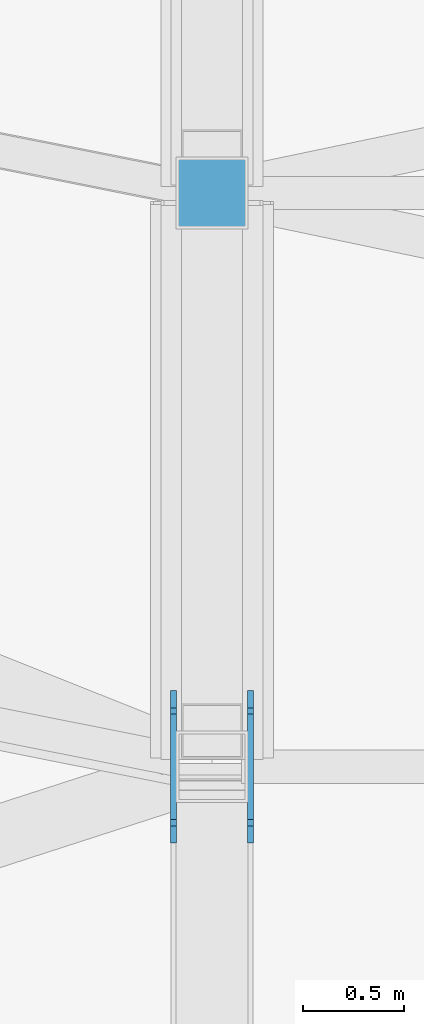
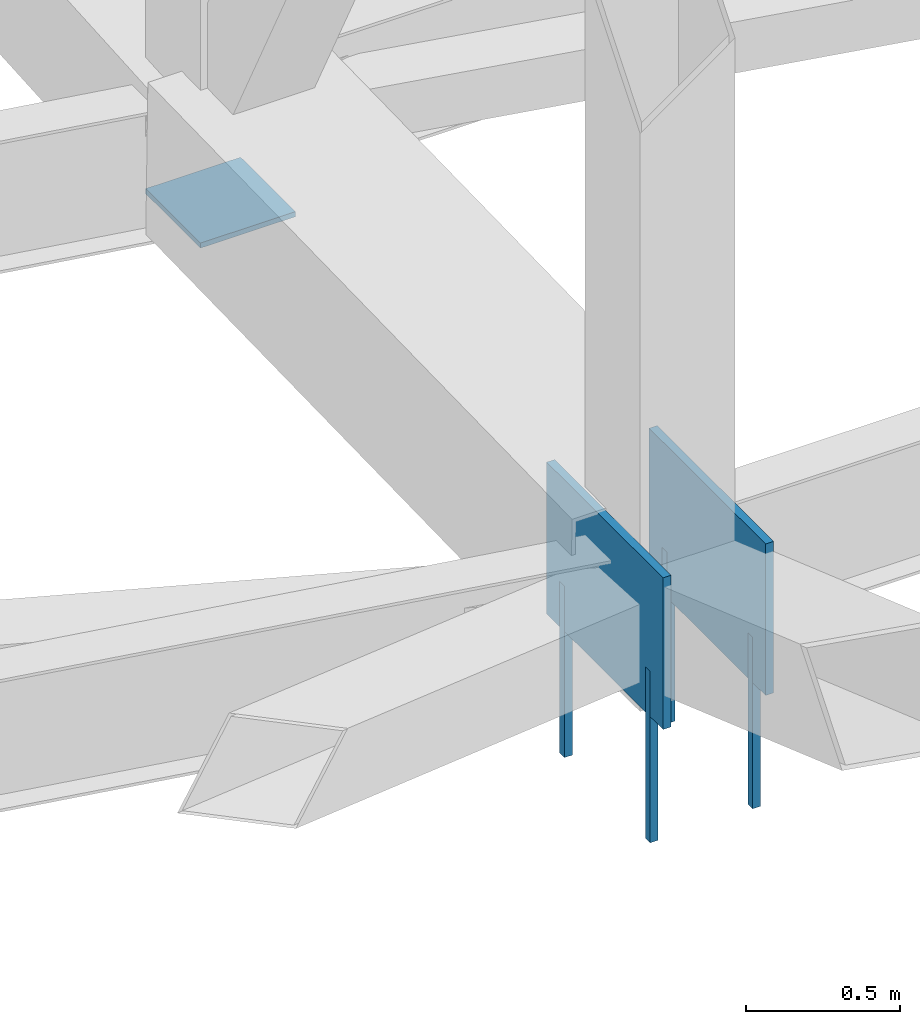
# One storey, part 121 of 278: 4 mechanical fasteners, 3 discrete accessories.
"""IFC4 building model written with IfcOpenShell, lengths in metres."""

from ifc_helpers import new_model, si_unit, direction, frame, origin, origin_2d, place, context, subcontext, project, spatial, rectangle, extrude, material, layer, layer_set, type_object, element, save


model = new_model("IFC4")

# Units and contexts
model_context = context("Model", 3, precision=1e-05, world=origin(), true_north=direction((0.0, 1.0)))
body_context = subcontext(model_context, "Body", "Model", "MODEL_VIEW")
ifc_project = project(units=[si_unit("LENGTHUNIT", "METRE"), si_unit("AREAUNIT", "SQUARE_METRE"), si_unit("VOLUMEUNIT", "CUBIC_METRE"), si_unit("PLANEANGLEUNIT", "RADIAN"), si_unit("MASSUNIT", "GRAM", prefix="KILO")], contexts=[model_context])

# Site, building, storey
site_placement = place(None, origin())
site = spatial("IfcSite", under=ifc_project, at=site_placement, CompositionType="ELEMENT")
building_placement = place(site_placement, origin())
building = spatial("IfcBuilding", under=site, at=building_placement, Name="Ogive Plaza Stadium", CompositionType="ELEMENT")
storey_placement = place(building_placement, frame((0.0, 0.0, 29.0)))
storey = spatial("IfcBuildingStorey", under=building, at=storey_placement, Name="Roof", CompositionType="ELEMENT", Elevation=29.0)

# Mechanical fasteners
ifc_material_1 = material(Name="Steel ASTM A992 Grade 50", Category="steel")
mechanical_fastener_type = type_object("IfcMechanicalFastenerType", Name="Anchor bolt M30 x 600", PredefinedType="ANCHORBOLT", material=ifc_material_1)
for number, where, z_axis, x_axis, name in (
    (1, (-33.80810546875, -92.77783203125, -0.5), (0.0, 0.0, 1.0), (0.0, -1.0, 0.0), "ANCHOR BOLT 17 BP 1.1"),
    (2, (-33.80810546875, -92.22216796875, -0.5), (0.0, 0.0, 1.0), (0.0, -1.0, 0.0), "ANCHOR BOLT 17 BP 1.2"),
    (3, (-34.19189453125, -92.77783203125, -0.5), (0.0, 0.0, 1.0), (0.0, -1.0, 0.0), "ANCHOR BOLT 17 BP 2.1"),
    (4, (-34.19189453125, -92.22216796875, -0.5), (0.0, 0.0, 1.0), (0.0, -1.0, 0.0), "ANCHOR BOLT 17 BP 2.2"),
):
    element("IfcMechanicalFastener", number, at=place(storey_placement, frame(where, z_axis=z_axis, x_axis=x_axis)), inside=storey, type_object=mechanical_fastener_type, Name=name, PredefinedType="ANCHORBOLT", context=body_context, shape_type="SweptSolid", body=[
        extrude(rectangle(XDim=0.030029296875, YDim=0.030029296875, at=origin_2d()), origin(), (0.0, 0.0, 1.0), 0.679931640625),
    ])

# Discrete accessories
ifc_material_2 = material(Name="Steel ASTM A992 Grade 50", Category="steel")
ifc_layer_1 = layer(ifc_material_2, 0.02001953125)
ifc_layer_set_1 = layer_set([ifc_layer_1], Name="Steel ASTM A992 Grade 50")
discrete_accessory_type_1 = type_object("IfcDiscreteAccessoryType", Name="Roof truss post cap plate 20", PredefinedType="ANCHORPLATE", material=ifc_layer_set_1)
discrete_accessory_placement = place(storey_placement, frame((-34.0, -89.64990234375, 0.04541015625), z_axis=(0.0, 0.0, 1.0), x_axis=(0.0, -1.0, 0.0)))
element("IfcDiscreteAccessory", 5, at=discrete_accessory_placement, inside=storey, type_object=discrete_accessory_type_1, Name="ROOF TRUSS POST CAP PLATE 17 10", PredefinedType="ANCHORPLATE", context=body_context, shape_type="SweptSolid", body=[
    extrude(rectangle(XDim=0.355712890625, YDim=0.355712890625, at=origin_2d()), origin(), (0.0, 0.0, 1.0), 0.02001953125),
])
ifc_material_3 = material(Name="Steel ASTM A992 Grade 50", Category="steel")
ifc_layer_2 = layer(ifc_material_3, 0.030029296875)
ifc_layer_set_2 = layer_set([ifc_layer_2], Name="Steel ASTM A992 Grade 50")
discrete_accessory_type_2 = type_object("IfcDiscreteAccessoryType", Name="Truss root foot cleat plate 30", PredefinedType="ANCHORPLATE", material=ifc_layer_set_2)
for number, where, z_axis, x_axis, name in (
    (6, (-33.80810546875, -92.5, 0.0), (0.0, 0.0, 1.0), (0.0, -1.0, 0.0), "TRUSS ROOT FOOT CLEAT PLATE 17 1"),
    (7, (-34.19189453125, -92.5, 0.0), (0.0, 0.0, 1.0), (0.0, -1.0, 0.0), "TRUSS ROOT FOOT CLEAT PLATE 17 2"),
):
    element("IfcDiscreteAccessory", number, at=place(storey_placement, frame(where, z_axis=z_axis, x_axis=x_axis)), inside=storey, type_object=discrete_accessory_type_2, Name=name, PredefinedType="ANCHORPLATE", context=body_context, shape_type="SweptSolid", body=[
        extrude(rectangle(XDim=0.755615234375, YDim=0.030029296875, at=origin_2d()), origin(), (0.0, 0.0, 1.0), 0.60009765625),
    ])

save(model, "model.ifc")
